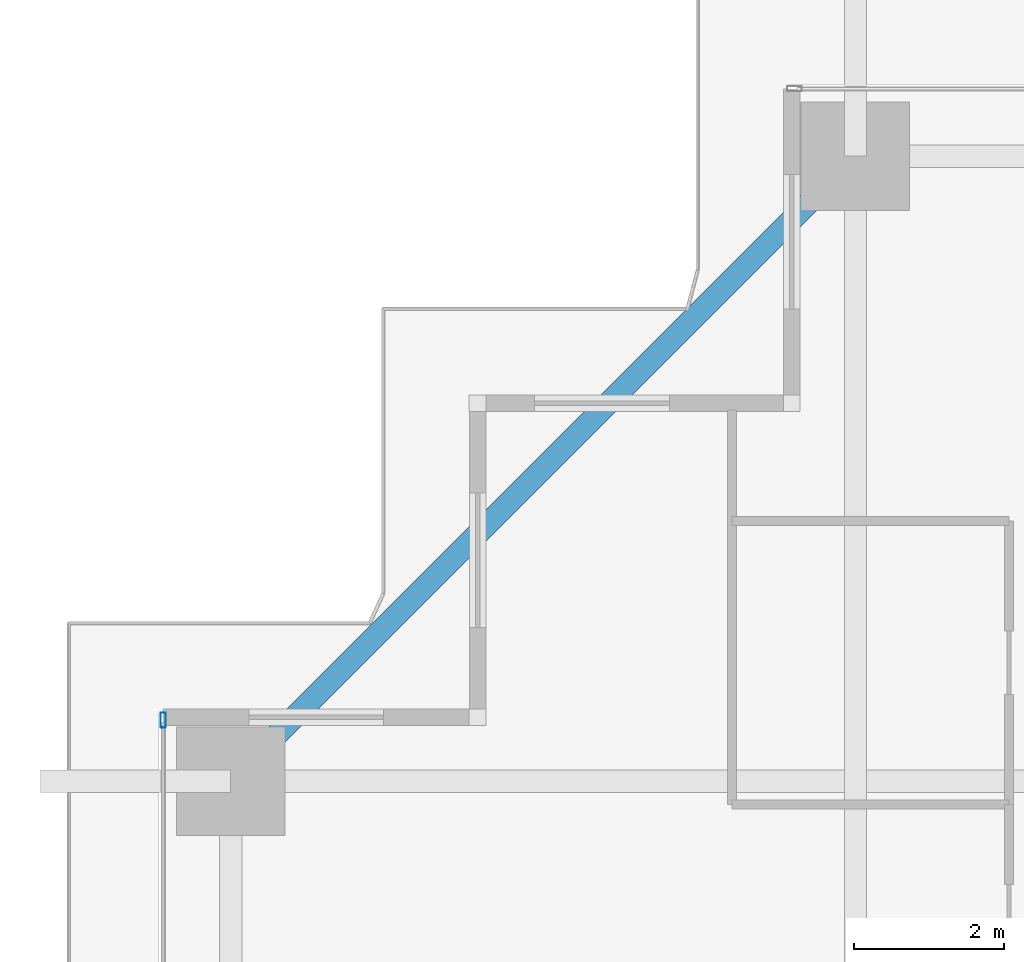
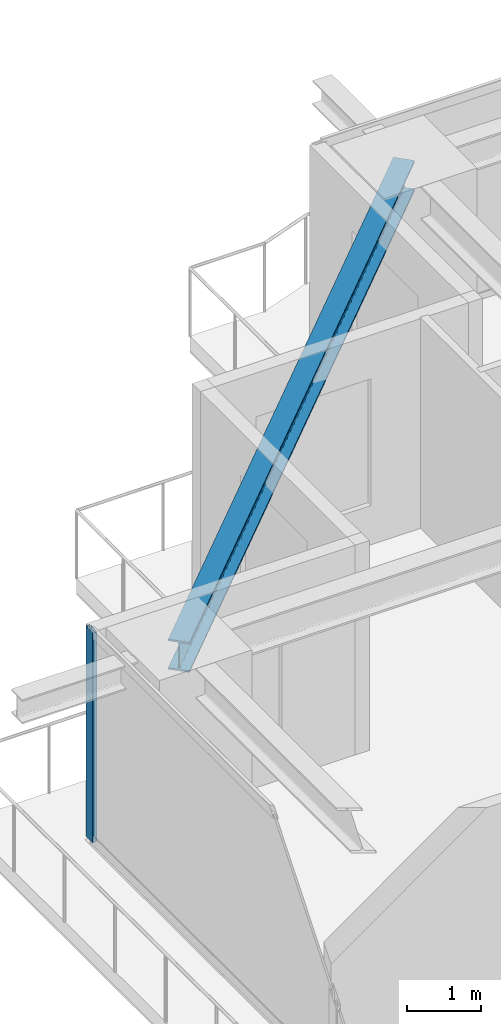
# One storey, part 18 of 38: 1 beam, 1 member, 1 element without a shape of its own.
"""IFC4 building model written with IfcOpenShell, lengths in metres."""

from ifc_helpers import new_model, si_unit, direction, frame, origin, origin_2d, place, context, subcontext, project, spatial, hollow_rectangle, i_section, extrude, source, transform, mapped, material, layer, layer_set, material_profile, profile_set, type_object, element, aggregate, save


model = new_model("IFC4")

# Units and contexts
model_context = context("Model", 3, precision=1e-05, world=origin(), true_north=direction((0.0, 1.0)))
body_context = subcontext(model_context, "Body", "Model", "MODEL_VIEW")
ifc_project = project(units=[si_unit("LENGTHUNIT", "METRE"), si_unit("AREAUNIT", "SQUARE_METRE"), si_unit("VOLUMEUNIT", "CUBIC_METRE"), si_unit("PLANEANGLEUNIT", "RADIAN"), si_unit("MASSUNIT", "GRAM", prefix="KILO")], contexts=[model_context])

# Site, building, storey
site_placement = place(None, origin())
site = spatial("IfcSite", under=ifc_project, at=site_placement, CompositionType="ELEMENT")
building_placement = place(site_placement, origin())
building = spatial("IfcBuilding", under=site, at=building_placement, Name="Serunith Strait Residences", CompositionType="ELEMENT")
storey_placement = place(building_placement, frame((0.0, 0.0, 67.949951171875)))
storey = spatial("IfcBuildingStorey", under=building, at=storey_placement, Name="L16", CompositionType="ELEMENT", Elevation=67.949951171875)

# Beam
ifc_material_1 = material(Name="Steel S355J2", Category="steel")
ifc_material_profile_1 = material_profile(ifc_material_1, i_section(OverallWidth=0.300048828125, OverallDepth=0.5, WebThickness=0.014404296875, FlangeThickness=0.028076171875, FilletRadius=0.027099609375, at=origin_2d()), Name="HEB 500")
ifc_profile_set_1 = profile_set([ifc_material_profile_1], Name="Steel S355J2")
beam_type = type_object("IfcBeamType", Name="BM-HEB500", PredefinedType="BEAM", material=ifc_profile_set_1)
shared_shape_1 = source(origin(), body_context, "Body", "SweptSolid", [
    extrude(i_section(OverallWidth=0.300048828125, OverallDepth=0.5, WebThickness=0.014404296875, FlangeThickness=0.028076171875, FilletRadius=0.027099609375, at=origin_2d()), origin(), (0.0, 0.0, 1.0), 11.808837890625),
])
beam_placement = place(storey_placement, frame((15.25, 49.300048828125, 3.20703125), z_axis=(-0.707106781187, -0.707106781187, 0.0), x_axis=(0.707106781187, -0.707106781187, 0.0)))
element("IfcBeam", 1, at=beam_placement, inside=storey, type_object=beam_type, Name="L16 Perimeter Ring Beam 12", PredefinedType="BEAM", context=body_context, shape_type="MappedRepresentation", body=[
    mapped(shared_shape_1, transform((0.0, 0.0, 0.0), scale=1.0)),
])

# Curtain wall, member
ifc_material_2 = material(Name="Pale-Champagne Anodised Aluminium", Category="aluminium")
ifc_layer = layer(ifc_material_2, 0.199951171875, Name="Pale-Champagne Anodised Aluminium")
ifc_layer_set = layer_set([ifc_layer], Name="Pale-Champagne Anodised Aluminium")
curtain_wall_type = type_object("IfcCurtainWallType", Name="CW-SYS1", PredefinedType="NOTDEFINED", material=ifc_layer_set)
curtain_wall_placement = place(storey_placement, origin())
curtain_wall = element("IfcCurtainWall", 2, at=curtain_wall_placement, inside=storey, type_object=curtain_wall_type, Name="L16 W Unitised Fritted Curtain Wall", PredefinedType="NOTDEFINED")
ifc_material_profile_2 = material_profile(ifc_material_2, hollow_rectangle(XDim=0.070068359375, YDim=0.199951171875, WallThickness=0.00390625, InnerFilletRadius=0.006103515625, OuterFilletRadius=0.010009765625, at=origin_2d()), Name="ALU 200x70x4")
ifc_profile_set_2 = profile_set([ifc_material_profile_2], Name="Pale-Champagne Anodised Aluminium")
member_type = type_object("IfcMemberType", Name="CW-SYS1-MULL", PredefinedType="MULLION", material=ifc_profile_set_2)
shared_shape_2 = source(origin(), body_context, "Body", "SweptSolid", [
    extrude(hollow_rectangle(XDim=0.070068359375, YDim=0.199951171875, WallThickness=0.00390625, InnerFilletRadius=0.006103515625, OuterFilletRadius=0.010009765625, at=origin_2d()), origin(), (0.0, 0.0, 1.0), 3.47509765625),
])
member_placement = place(storey_placement, frame((6.0, 41.764892578125, 0.0), z_axis=(0.0, 0.0, 1.0), x_axis=(1.0, 0.0, 0.0)))
member = element("IfcMember", 3, at=member_placement, type_object=member_type, Name="CW-1 mullion 1", PredefinedType="MULLION", context=body_context, shape_type="MappedRepresentation", body=[
    mapped(shared_shape_2, transform((0.0, 0.0, 0.0), scale=1.0)),
])
aggregate(curtain_wall, [member])

save(model, "model.ifc")
